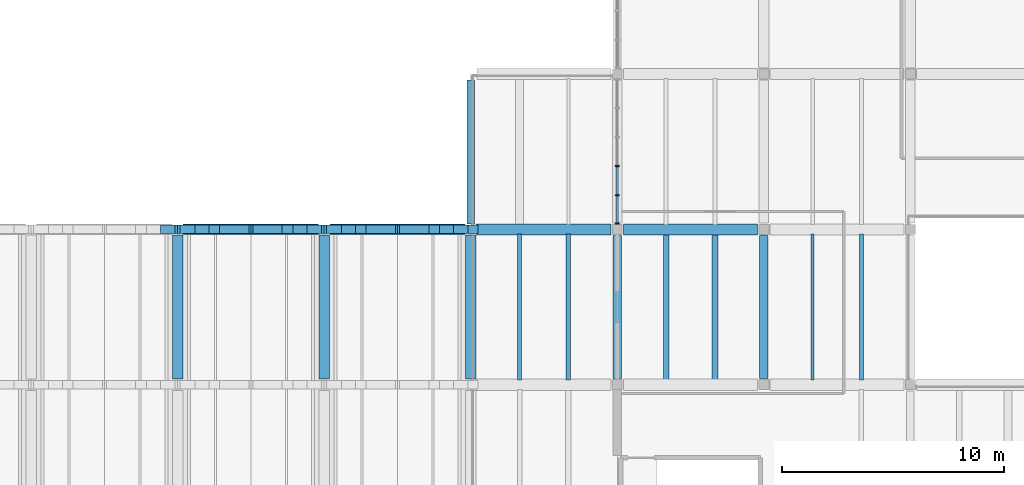
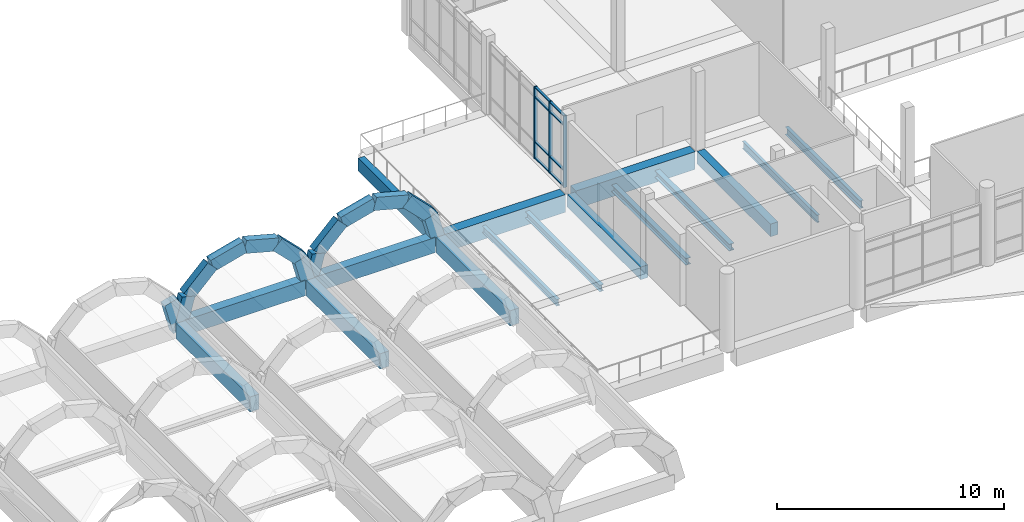
# One storey, part 4 of 92: 29 beams, 11 members, 1 element without a shape of its own.
"""IFC4 building model written with IfcOpenShell, lengths in metres."""

from ifc_helpers import new_model, si_unit, direction, frame, origin, origin_2d, place, context, subcontext, project, spatial, rectangle, i_section, extrude, material, material_profile, profile_set, type_object, element, aggregate, save


model = new_model("IFC4")

# Units and contexts
model_context = context("Model", 3, precision=1e-05, world=origin(), true_north=direction((0.0, 1.0)))
body_context = subcontext(model_context, "Body", "Model", "MODEL_VIEW")
ifc_project = project(units=[si_unit("LENGTHUNIT", "METRE"), si_unit("AREAUNIT", "SQUARE_METRE"), si_unit("VOLUMEUNIT", "CUBIC_METRE"), si_unit("PLANEANGLEUNIT", "RADIAN"), si_unit("MASSUNIT", "GRAM", prefix="KILO")], contexts=[model_context])

# Site, building, storey
site_placement = place(None, origin())
site = spatial("IfcSite", under=ifc_project, at=site_placement, CompositionType="ELEMENT")
building_placement = place(site_placement, origin())
building = spatial("IfcBuilding", under=site, at=building_placement, Name="Ciguamira Faculty of Natural Sciences", CompositionType="ELEMENT")
storey_placement = place(building_placement, frame((0.0, 0.0, 16.800048828125)))
storey = spatial("IfcBuildingStorey", under=building, at=storey_placement, Name="L04", CompositionType="ELEMENT", Elevation=16.800048828125)

# Curtain wall, members
ifc_material_1 = material(Name="Anodized aluminium curtain wall", Category="aluminium")
curtain_wall_type = type_object("IfcCurtainWallType", Name="CurtainWall_CW-10", PredefinedType="USERDEFINED", material=ifc_material_1)
curtain_wall_placement = place(storey_placement, origin())
curtain_wall = element("IfcCurtainWall", 1, at=curtain_wall_placement, inside=storey, type_object=curtain_wall_type, Name="L04 unitised curtain wall 0130", ObjectType="UNITISED CURTAIN WALL", PredefinedType="USERDEFINED")
ifc_material_2 = material(Name="Anodized aluminium mullion", Category="aluminium")
ifc_material_profile_1 = material_profile(ifc_material_2, rectangle(XDim=0.06005859375, YDim=0.159912109375, at=origin_2d()), Name="ALU-MUL-60X160")
ifc_profile_set_1 = profile_set([ifc_material_profile_1], Name="Anodized aluminium mullion")
member_type_1 = type_object("IfcMemberType", Name="CWMullion_CWM-01", PredefinedType="MULLION", material=ifc_profile_set_1)
member_1_placement = place(storey_placement, frame((57.300048828125, 24.2548828125, 0.0), z_axis=(0.0, 0.0, 1.0), x_axis=(0.0, 1.0, 0.0)))
member_1 = element("IfcMember", 2, at=member_1_placement, type_object=member_type_1, Name="CW-10 mullion 1", PredefinedType="MULLION", context=body_context, shape_type="SweptSolid", body=[
    extrude(rectangle(XDim=0.06005859375, YDim=0.159912109375, at=origin_2d()), origin(), (0.0, 0.0, 1.0), 3.849853515625),
])
member_2_placement = place(storey_placement, frame((57.300048828125, 25.534912109375, 0.0), z_axis=(0.0, 0.0, 1.0), x_axis=(0.0, 1.0, 0.0)))
member_2 = element("IfcMember", 3, at=member_2_placement, type_object=member_type_1, Name="CW-10 mullion 2", PredefinedType="MULLION", context=body_context, shape_type="SweptSolid", body=[
    extrude(rectangle(XDim=0.06005859375, YDim=0.159912109375, at=origin_2d()), origin(), (0.0, 0.0, 1.0), 3.849853515625),
])
member_3_placement = place(storey_placement, frame((57.300048828125, 26.844970703125, 0.0), z_axis=(0.0, 0.0, 1.0), x_axis=(0.0, 1.0, 0.0)))
member_3 = element("IfcMember", 4, at=member_3_placement, type_object=member_type_1, Name="CW-10 mullion 3", PredefinedType="MULLION", context=body_context, shape_type="SweptSolid", body=[
    extrude(rectangle(XDim=0.06005859375, YDim=0.159912109375, at=origin_2d()), origin(), (0.0, 0.0, 1.0), 3.849853515625),
])
ifc_material_3 = material(Name="Anodized aluminium transom", Category="aluminium")
ifc_material_profile_2 = material_profile(ifc_material_3, rectangle(XDim=0.06005859375, YDim=0.1201171875, at=origin_2d()), Name="ALU-TRN-60X120")
ifc_profile_set_2 = profile_set([ifc_material_profile_2], Name="Anodized aluminium transom")
member_type_2 = type_object("IfcMemberType", Name="CWTransom_CWT-01", PredefinedType="USERDEFINED", material=ifc_profile_set_2)
member_4_placement = place(storey_placement, frame((57.300048828125, 24.284912109375, 0.030029296875), z_axis=(0.0, 1.0, 0.0), x_axis=(0.0, 0.0, 1.0)))
member_4 = element("IfcMember", 5, at=member_4_placement, type_object=member_type_2, Name="CW-10 transom 1.1", ObjectType="TRANSOM", PredefinedType="USERDEFINED", context=body_context, shape_type="SweptSolid", body=[
    extrude(rectangle(XDim=0.06005859375, YDim=0.1201171875, at=origin_2d()), origin(), (0.0, 0.0, 1.0), 1.219970703125),
])
member_5_placement = place(storey_placement, frame((57.300048828125, 24.284912109375, 0.89990234375), z_axis=(0.0, 1.0, 0.0), x_axis=(0.0, 0.0, 1.0)))
member_5 = element("IfcMember", 6, at=member_5_placement, type_object=member_type_2, Name="CW-10 transom 1.2", ObjectType="TRANSOM", PredefinedType="USERDEFINED", context=body_context, shape_type="SweptSolid", body=[
    extrude(rectangle(XDim=0.06005859375, YDim=0.1201171875, at=origin_2d()), origin(), (0.0, 0.0, 1.0), 1.219970703125),
])
member_6_placement = place(storey_placement, frame((57.300048828125, 24.284912109375, 3.300048828125), z_axis=(0.0, 1.0, 0.0), x_axis=(0.0, 0.0, 1.0)))
member_6 = element("IfcMember", 7, at=member_6_placement, type_object=member_type_2, Name="CW-10 transom 1.3", ObjectType="TRANSOM", PredefinedType="USERDEFINED", context=body_context, shape_type="SweptSolid", body=[
    extrude(rectangle(XDim=0.06005859375, YDim=0.1201171875, at=origin_2d()), origin(), (0.0, 0.0, 1.0), 1.219970703125),
])
member_7_placement = place(storey_placement, frame((57.300048828125, 24.284912109375, 3.820068359375), z_axis=(0.0, 1.0, 0.0), x_axis=(0.0, 0.0, 1.0)))
member_7 = element("IfcMember", 8, at=member_7_placement, type_object=member_type_2, Name="CW-10 transom 1.4", ObjectType="TRANSOM", PredefinedType="USERDEFINED", context=body_context, shape_type="SweptSolid", body=[
    extrude(rectangle(XDim=0.06005859375, YDim=0.1201171875, at=origin_2d()), origin(), (0.0, 0.0, 1.0), 1.219970703125),
])
member_8_placement = place(storey_placement, frame((57.300048828125, 25.56494140625, 0.030029296875), z_axis=(0.0, 1.0, 0.0), x_axis=(0.0, 0.0, 1.0)))
member_8 = element("IfcMember", 9, at=member_8_placement, type_object=member_type_2, Name="CW-10 transom 2.1", ObjectType="TRANSOM", PredefinedType="USERDEFINED", context=body_context, shape_type="SweptSolid", body=[
    extrude(rectangle(XDim=0.06005859375, YDim=0.1201171875, at=origin_2d()), origin(), (0.0, 0.0, 1.0), 1.25),
])
member_9_placement = place(storey_placement, frame((57.300048828125, 25.56494140625, 0.89990234375), z_axis=(0.0, 1.0, 0.0), x_axis=(0.0, 0.0, 1.0)))
member_9 = element("IfcMember", 10, at=member_9_placement, type_object=member_type_2, Name="CW-10 transom 2.2", ObjectType="TRANSOM", PredefinedType="USERDEFINED", context=body_context, shape_type="SweptSolid", body=[
    extrude(rectangle(XDim=0.06005859375, YDim=0.1201171875, at=origin_2d()), origin(), (0.0, 0.0, 1.0), 1.25),
])
member_10_placement = place(storey_placement, frame((57.300048828125, 25.56494140625, 3.300048828125), z_axis=(0.0, 1.0, 0.0), x_axis=(0.0, 0.0, 1.0)))
member_10 = element("IfcMember", 11, at=member_10_placement, type_object=member_type_2, Name="CW-10 transom 2.3", ObjectType="TRANSOM", PredefinedType="USERDEFINED", context=body_context, shape_type="SweptSolid", body=[
    extrude(rectangle(XDim=0.06005859375, YDim=0.1201171875, at=origin_2d()), origin(), (0.0, 0.0, 1.0), 1.25),
])
member_11_placement = place(storey_placement, frame((57.300048828125, 25.56494140625, 3.820068359375), z_axis=(0.0, 1.0, 0.0), x_axis=(0.0, 0.0, 1.0)))
member_11 = element("IfcMember", 12, at=member_11_placement, type_object=member_type_2, Name="CW-10 transom 2.4", ObjectType="TRANSOM", PredefinedType="USERDEFINED", context=body_context, shape_type="SweptSolid", body=[
    extrude(rectangle(XDim=0.06005859375, YDim=0.1201171875, at=origin_2d()), origin(), (0.0, 0.0, 1.0), 1.25),
])
aggregate(curtain_wall, [member_1, member_2, member_3, member_4, member_5, member_6, member_7, member_8, member_9, member_10, member_11])

# Beams
ifc_material_4 = material(Name="Concrete C40/50", Category="concrete")
ifc_material_profile_3 = material_profile(ifc_material_4, rectangle(XDim=0.5, YDim=0.949951171875, at=origin_2d()), Name="RC-BM-500X950")
ifc_profile_set_3 = profile_set([ifc_material_profile_3], Name="Concrete C40/50")
beam_type_1 = type_object("IfcBeamType", Name="RCBeam_BG-02_RC-BM-500X950", PredefinedType="BEAM", material=ifc_profile_set_3)
beam_1_placement = place(storey_placement, frame((50.949951171875, 24.0, -0.47509765625), z_axis=(1.0, 0.0, 0.0), x_axis=(0.0, 1.0, 0.0)))
element("IfcBeam", 13, at=beam_1_placement, inside=storey, type_object=beam_type_1, Name="L04 RC girder EW-1345", PredefinedType="BEAM", context=body_context, shape_type="SweptSolid", body=[
    extrude(rectangle(XDim=0.5, YDim=0.949951171875, at=origin_2d()), origin(), (0.0, 0.0, 1.0), 6.074951171875),
])
beam_2_placement = place(storey_placement, frame((57.574951171875, 24.0, -0.47509765625), z_axis=(1.0, 0.0, 0.0), x_axis=(0.0, 1.0, 0.0)))
element("IfcBeam", 14, at=beam_2_placement, inside=storey, type_object=beam_type_1, Name="L04 RC girder EW-1346", PredefinedType="BEAM", context=body_context, shape_type="SweptSolid", body=[
    extrude(rectangle(XDim=0.5, YDim=0.949951171875, at=origin_2d()), origin(), (0.0, 0.0, 1.0), 6.050048828125),
])
ifc_material_profile_4 = material_profile(ifc_material_4, rectangle(XDim=0.4599609375, YDim=0.820068359375, at=origin_2d()), Name="RC-BM-460X820")
ifc_profile_set_4 = profile_set([ifc_material_profile_4], Name="Concrete C40/50")
beam_type_2 = type_object("IfcBeamType", Name="RCBeam_BG-04_RC-BM-460X820", PredefinedType="BEAM", material=ifc_profile_set_4)
for number, where, z_axis, x_axis, name in (
    (15, (37.5, 17.25, -0.41015625), (0.0, 1.0, 0.0), (-1.0, 0.0, 0.0), "V2 barrel vault RC valley tie beam 06-17"),
    (16, (44.10009765625, 17.25, -0.41015625), (0.0, 1.0, 0.0), (-1.0, 0.0, 0.0), "V2 barrel vault RC valley tie beam 07-17"),
    (17, (50.699951171875, 17.25, -0.41015625), (0.0, 1.0, 0.0), (-1.0, 0.0, 0.0), "V2 barrel vault RC valley tie beam 08-17"),
):
    element("IfcBeam", number, at=place(storey_placement, frame(where, z_axis=z_axis, x_axis=x_axis)), inside=storey, type_object=beam_type_2, Name=name, PredefinedType="BEAM", context=body_context, shape_type="SweptSolid", body=[
        extrude(rectangle(XDim=0.4599609375, YDim=0.820068359375, at=origin_2d()), origin(), (0.0, 0.0, 1.0), 6.5),
    ])
beam_3_placement = place(storey_placement, frame((37.75, 24.0, -0.41015625), z_axis=(1.0, 0.0, 0.0), x_axis=(0.0, 1.0, 0.0)))
element("IfcBeam", 18, at=beam_3_placement, inside=storey, type_object=beam_type_2, Name="V2 barrel vault end ring beam N-06", PredefinedType="BEAM", context=body_context, shape_type="SweptSolid", body=[
    extrude(rectangle(XDim=0.4599609375, YDim=0.820068359375, at=origin_2d()), origin(), (0.0, 0.0, 1.0), 6.10009765625),
])
beam_4_placement = place(storey_placement, frame((44.35009765625, 24.0, -0.41015625), z_axis=(1.0, 0.0, 0.0), x_axis=(0.0, 1.0, 0.0)))
element("IfcBeam", 19, at=beam_4_placement, inside=storey, type_object=beam_type_2, Name="V2 barrel vault end ring beam N-07", PredefinedType="BEAM", context=body_context, shape_type="SweptSolid", body=[
    extrude(rectangle(XDim=0.4599609375, YDim=0.820068359375, at=origin_2d()), origin(), (0.0, 0.0, 1.0), 6.099853515625),
])
ifc_material_profile_5 = material_profile(ifc_material_4, rectangle(XDim=0.3798828125, YDim=0.679931640625, at=origin_2d()), Name="RC-BM-380X680")
ifc_profile_set_5 = profile_set([ifc_material_profile_5], Name="Concrete C40/50")
beam_type_3 = type_object("IfcBeamType", Name="RCBeam_BG-09_RC-BM-380X680", PredefinedType="BEAM", material=ifc_profile_set_5)
for number, where, z_axis, x_axis, name in (
    (20, (57.300048828125, 17.27490234375, -0.340087890625), (0.0, 1.0, 0.0), (-1.0, 0.0, 0.0), "L04 girder NS-1387"),
    (21, (63.89990234375, 17.27490234375, -0.340087890625), (0.0, 1.0, 0.0), (-1.0, 0.0, 0.0), "L04 girder NS-1393"),
):
    element("IfcBeam", number, at=place(storey_placement, frame(where, z_axis=z_axis, x_axis=x_axis)), inside=storey, type_object=beam_type_3, Name=name, PredefinedType="BEAM", context=body_context, shape_type="SweptSolid", body=[
        extrude(rectangle(XDim=0.3798828125, YDim=0.679931640625, at=origin_2d()), origin(), (0.0, 0.0, 1.0), 6.4501953125),
    ])
for number, where, z_axis, x_axis, name in (
    (22, (37.057861328125, 24.0, 1.179931640625), (0.25884563037, 0.0, -0.965918702396), (0.0, 1.0, 0.0), "V2 barrel vault RC arch rib 5-6-24"),
    (23, (37.5, 24.0, -0.469970703125), (0.25884563037, 0.0, 0.965918702396), (0.0, 1.0, 0.0), "V2 barrel vault RC arch rib 6-1-24"),
):
    element("IfcBeam", number, at=place(storey_placement, frame(where, z_axis=z_axis, x_axis=x_axis)), inside=storey, type_object=beam_type_3, Name=name, PredefinedType="BEAM", context=body_context, shape_type="SweptSolid", body=[
        extrude(rectangle(XDim=0.3798828125, YDim=0.679931640625, at=origin_2d()), origin(), (0.0, 0.0, 1.0), 1.7080078125),
    ])
for number, where, z_axis, x_axis, name in (
    (24, (37.942138671875, 24.0, 1.179931640625), (0.707035316557, 0.0, 0.707178238594), (0.0, 1.0, 0.0), "V2 barrel vault RC arch rib 6-2-24"),
    (25, (39.14990234375, 24.0, 2.387939453125), (0.965963995283, 0.0, 0.25867655444), (0.0, 1.0, 0.0), "V2 barrel vault RC arch rib 6-3-24"),
):
    element("IfcBeam", number, at=place(storey_placement, frame(where, z_axis=z_axis, x_axis=x_axis)), inside=storey, type_object=beam_type_3, Name=name, PredefinedType="BEAM", context=body_context, shape_type="SweptSolid", body=[
        extrude(rectangle(XDim=0.3798828125, YDim=0.679931640625, at=origin_2d()), origin(), (0.0, 0.0, 1.0), 1.708251953125),
    ])
beam_5_placement = place(storey_placement, frame((40.800048828125, 24.0, 2.829833984375), z_axis=(0.965954430336, 0.0, -0.258712269741), x_axis=(0.0, 1.0, 0.0)))
element("IfcBeam", 26, at=beam_5_placement, inside=storey, type_object=beam_type_3, Name="V2 barrel vault RC arch rib 6-4-24", PredefinedType="BEAM", context=body_context, shape_type="SweptSolid", body=[
    extrude(rectangle(XDim=0.3798828125, YDim=0.679931640625, at=origin_2d()), origin(), (0.0, 0.0, 1.0), 1.7080078125),
])
beam_6_placement = place(storey_placement, frame((42.449951171875, 24.0, 2.387939453125), z_axis=(0.707106781187, 0.0, -0.707106781187), x_axis=(0.0, 1.0, 0.0)))
element("IfcBeam", 27, at=beam_6_placement, inside=storey, type_object=beam_type_3, Name="V2 barrel vault RC arch rib 6-5-24", PredefinedType="BEAM", context=body_context, shape_type="SweptSolid", body=[
    extrude(rectangle(XDim=0.3798828125, YDim=0.679931640625, at=origin_2d()), origin(), (0.0, 0.0, 1.0), 1.70849609375),
])
for number, where, z_axis, x_axis, name in (
    (28, (43.657958984375, 24.0, 1.179931640625), (0.25884563037, 0.0, -0.965918702396), (0.0, 1.0, 0.0), "V2 barrel vault RC arch rib 6-6-24"),
    (29, (44.10009765625, 24.0, -0.469970703125), (0.258712269741, 0.0, 0.965954430336), (0.0, 1.0, 0.0), "V2 barrel vault RC arch rib 7-1-24"),
):
    element("IfcBeam", number, at=place(storey_placement, frame(where, z_axis=z_axis, x_axis=x_axis)), inside=storey, type_object=beam_type_3, Name=name, PredefinedType="BEAM", context=body_context, shape_type="SweptSolid", body=[
        extrude(rectangle(XDim=0.3798828125, YDim=0.679931640625, at=origin_2d()), origin(), (0.0, 0.0, 1.0), 1.7080078125),
    ])
beam_7_placement = place(storey_placement, frame((44.5419921875, 24.0, 1.179931640625), z_axis=(0.707106781187, 0.0, 0.707106781187), x_axis=(0.0, 1.0, 0.0)))
element("IfcBeam", 30, at=beam_7_placement, inside=storey, type_object=beam_type_3, Name="V2 barrel vault RC arch rib 7-2-24", PredefinedType="BEAM", context=body_context, shape_type="SweptSolid", body=[
    extrude(rectangle(XDim=0.3798828125, YDim=0.679931640625, at=origin_2d()), origin(), (0.0, 0.0, 1.0), 1.70849609375),
])
beam_8_placement = place(storey_placement, frame((45.75, 24.0, 2.387939453125), z_axis=(0.965954430336, 0.0, 0.258712269741), x_axis=(0.0, 1.0, 0.0)))
element("IfcBeam", 31, at=beam_8_placement, inside=storey, type_object=beam_type_3, Name="V2 barrel vault RC arch rib 7-3-24", PredefinedType="BEAM", context=body_context, shape_type="SweptSolid", body=[
    extrude(rectangle(XDim=0.3798828125, YDim=0.679931640625, at=origin_2d()), origin(), (0.0, 0.0, 1.0), 1.7080078125),
])
for number, where, z_axis, x_axis, name in (
    (32, (47.39990234375, 24.0, 2.829833984375), (0.965963995283, 0.0, -0.25867655444), (0.0, 1.0, 0.0), "V2 barrel vault RC arch rib 7-4-24"),
    (33, (49.050048828125, 24.0, 2.387939453125), (0.707035316557, 0.0, -0.707178238594), (0.0, 1.0, 0.0), "V2 barrel vault RC arch rib 7-5-24"),
):
    element("IfcBeam", number, at=place(storey_placement, frame(where, z_axis=z_axis, x_axis=x_axis)), inside=storey, type_object=beam_type_3, Name=name, PredefinedType="BEAM", context=body_context, shape_type="SweptSolid", body=[
        extrude(rectangle(XDim=0.3798828125, YDim=0.679931640625, at=origin_2d()), origin(), (0.0, 0.0, 1.0), 1.708251953125),
    ])
beam_9_placement = place(storey_placement, frame((50.2578125, 24.0, 1.179931640625), z_axis=(0.25884563037, 0.0, -0.965918702396), x_axis=(0.0, 1.0, 0.0)))
element("IfcBeam", 34, at=beam_9_placement, inside=storey, type_object=beam_type_3, Name="V2 barrel vault RC arch rib 7-6-24", PredefinedType="BEAM", context=body_context, shape_type="SweptSolid", body=[
    extrude(rectangle(XDim=0.3798828125, YDim=0.679931640625, at=origin_2d()), origin(), (0.0, 0.0, 1.0), 1.7080078125),
])
ifc_material_5 = material(Name="Precast concrete C40/50", Category="concrete")
ifc_material_profile_6 = material_profile(ifc_material_5, rectangle(XDim=0.320068359375, YDim=0.679931640625, at=origin_2d()), Name="RC-SP-320X680")
ifc_profile_set_6 = profile_set([ifc_material_profile_6], Name="Precast concrete C40/50")
beam_type_4 = type_object("IfcBeamType", Name="RCBeam_SP-02_RC-SP-320X680", PredefinedType="SPANDREL", material=ifc_profile_set_6)
beam_10_placement = place(storey_placement, frame((50.699951171875, 24.25, -0.340087890625), z_axis=(0.0, 1.0, 0.0), x_axis=(-1.0, 0.0, 0.0)))
element("IfcBeam", 35, at=beam_10_placement, inside=storey, type_object=beam_type_4, Name="L04 girder NS-1386", PredefinedType="SPANDREL", context=body_context, shape_type="SweptSolid", body=[
    extrude(rectangle(XDim=0.320068359375, YDim=0.679931640625, at=origin_2d()), origin(), (0.0, 0.0, 1.0), 6.47509765625),
])
ifc_material_6 = material(Name="Steel ASTM A992 Grade 50", Category="steel")
ifc_material_profile_7 = material_profile(ifc_material_6, i_section(OverallWidth=0.1708984375, OverallDepth=0.3505859375, WebThickness=0.0068359375, FlangeThickness=0.009765625, at=origin_2d()), Name="W14X30")
ifc_profile_set_7 = profile_set([ifc_material_profile_7], Name="Steel ASTM A992 Grade 50")
beam_type_5 = type_object("IfcBeamType", Name="SteelJoist_SJ-11_W14X30", PredefinedType="JOIST", material=ifc_profile_set_7)
beam_11_placement = place(storey_placement, frame((52.89990234375, 17.2099609375, -0.375244140625), z_axis=(0.0, 1.0, 0.0), x_axis=(-1.0, 0.0, 0.0)))
element("IfcBeam", 36, at=beam_11_placement, inside=storey, type_object=beam_type_5, Name="L04 composite steel joist 01271", PredefinedType="JOIST", context=body_context, shape_type="SweptSolid", body=[
    extrude(i_section(OverallWidth=0.1708984375, OverallDepth=0.3505859375, WebThickness=0.0068359375, FlangeThickness=0.009765625, at=origin_2d()), origin(), (0.0, 0.0, 1.0), 6.580078125),
])
ifc_material_profile_8 = material_profile(ifc_material_6, i_section(OverallWidth=0.203125, OverallDepth=0.347900390625, WebThickness=0.0078125, FlangeThickness=0.013427734375, at=origin_2d()), Name="W14X43")
ifc_profile_set_8 = profile_set([ifc_material_profile_8], Name="Steel ASTM A992 Grade 50")
beam_type_6 = type_object("IfcBeamType", Name="SteelJoist_SJ-12_W14X43", PredefinedType="JOIST", material=ifc_profile_set_8)
beam_12_placement = place(storey_placement, frame((55.10009765625, 17.2099609375, -0.3740234375), z_axis=(0.0, 1.0, 0.0), x_axis=(-1.0, 0.0, 0.0)))
element("IfcBeam", 37, at=beam_12_placement, inside=storey, type_object=beam_type_6, Name="L04 composite steel joist 01272", PredefinedType="JOIST", context=body_context, shape_type="SweptSolid", body=[
    extrude(i_section(OverallWidth=0.203125, OverallDepth=0.347900390625, WebThickness=0.0078125, FlangeThickness=0.013427734375, at=origin_2d()), origin(), (0.0, 0.0, 1.0), 6.580078125),
])
ifc_material_profile_9 = material_profile(ifc_material_6, i_section(OverallWidth=0.25390625, OverallDepth=0.355712890625, WebThickness=0.010498046875, FlangeThickness=0.018310546875, at=origin_2d()), Name="W14X68")
ifc_profile_set_9 = profile_set([ifc_material_profile_9], Name="Steel ASTM A992 Grade 50")
beam_type_7 = type_object("IfcBeamType", Name="SteelJoist_SJ-14_W14X68", PredefinedType="JOIST", material=ifc_profile_set_9)
beam_13_placement = place(storey_placement, frame((59.5, 17.2099609375, -0.477783203125), z_axis=(0.0, 1.0, 0.0), x_axis=(-1.0, 0.0, 0.0)))
element("IfcBeam", 38, at=beam_13_placement, inside=storey, type_object=beam_type_7, Name="L04 composite steel joist 01275", PredefinedType="JOIST", context=body_context, shape_type="SweptSolid", body=[
    extrude(i_section(OverallWidth=0.25390625, OverallDepth=0.355712890625, WebThickness=0.010498046875, FlangeThickness=0.018310546875, at=origin_2d()), origin(), (0.0, 0.0, 1.0), 6.580078125),
])
ifc_material_profile_10 = material_profile(ifc_material_6, i_section(OverallWidth=0.256591796875, OverallDepth=0.36328125, WebThickness=0.012939453125, FlangeThickness=0.021728515625, at=origin_2d()), Name="W14X82")
ifc_profile_set_10 = profile_set([ifc_material_profile_10], Name="Steel ASTM A992 Grade 50")
beam_type_8 = type_object("IfcBeamType", Name="SteelJoist_SJ-15_W14X82", PredefinedType="JOIST", material=ifc_profile_set_10)
beam_14_placement = place(storey_placement, frame((61.699951171875, 17.2099609375, -0.481689453125), z_axis=(0.0, 1.0, 0.0), x_axis=(-1.0, 0.0, 0.0)))
element("IfcBeam", 39, at=beam_14_placement, inside=storey, type_object=beam_type_8, Name="L04 composite steel joist 01276", PredefinedType="JOIST", context=body_context, shape_type="SweptSolid", body=[
    extrude(i_section(OverallWidth=0.256591796875, OverallDepth=0.36328125, WebThickness=0.012939453125, FlangeThickness=0.021728515625, at=origin_2d()), origin(), (0.0, 0.0, 1.0), 6.580078125),
])
ifc_material_profile_11 = material_profile(ifc_material_6, i_section(OverallWidth=0.140380859375, OverallDepth=0.40380859375, WebThickness=0.007080078125, FlangeThickness=0.01123046875, at=origin_2d()), Name="W16X31")
ifc_profile_set_11 = profile_set([ifc_material_profile_11], Name="Steel ASTM A992 Grade 50")
beam_type_9 = type_object("IfcBeamType", Name="SteelJoist_SJ-17_W16X31", PredefinedType="JOIST", material=ifc_profile_set_11)
beam_15_placement = place(storey_placement, frame((66.10009765625, 17.2099609375, -0.501953125), z_axis=(0.0, 1.0, 0.0), x_axis=(-1.0, 0.0, 0.0)))
element("IfcBeam", 40, at=beam_15_placement, inside=storey, type_object=beam_type_9, Name="L04 composite steel joist 01284", PredefinedType="JOIST", context=body_context, shape_type="SweptSolid", body=[
    extrude(i_section(OverallWidth=0.140380859375, OverallDepth=0.40380859375, WebThickness=0.007080078125, FlangeThickness=0.01123046875, at=origin_2d()), origin(), (0.0, 0.0, 1.0), 6.580078125),
])
ifc_material_profile_12 = material_profile(ifc_material_6, i_section(OverallWidth=0.177490234375, OverallDepth=0.40380859375, WebThickness=0.007568359375, FlangeThickness=0.010986328125, at=origin_2d()), Name="W16X36")
ifc_profile_set_12 = profile_set([ifc_material_profile_12], Name="Steel ASTM A992 Grade 50")
beam_type_10 = type_object("IfcBeamType", Name="SteelJoist_SJ-18_W16X36", PredefinedType="JOIST", material=ifc_profile_set_12)
beam_16_placement = place(storey_placement, frame((68.300048828125, 17.2099609375, -0.501953125), z_axis=(0.0, 1.0, 0.0), x_axis=(-1.0, 0.0, 0.0)))
element("IfcBeam", 41, at=beam_16_placement, inside=storey, type_object=beam_type_10, Name="L04 composite steel joist 01285", PredefinedType="JOIST", context=body_context, shape_type="SweptSolid", body=[
    extrude(i_section(OverallWidth=0.177490234375, OverallDepth=0.40380859375, WebThickness=0.007568359375, FlangeThickness=0.010986328125, at=origin_2d()), origin(), (0.0, 0.0, 1.0), 6.580078125),
])

save(model, "model.ifc")
